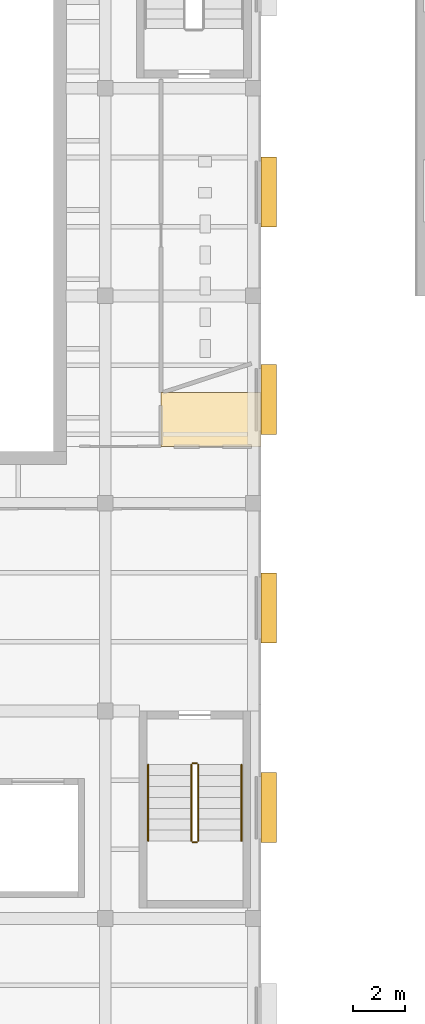
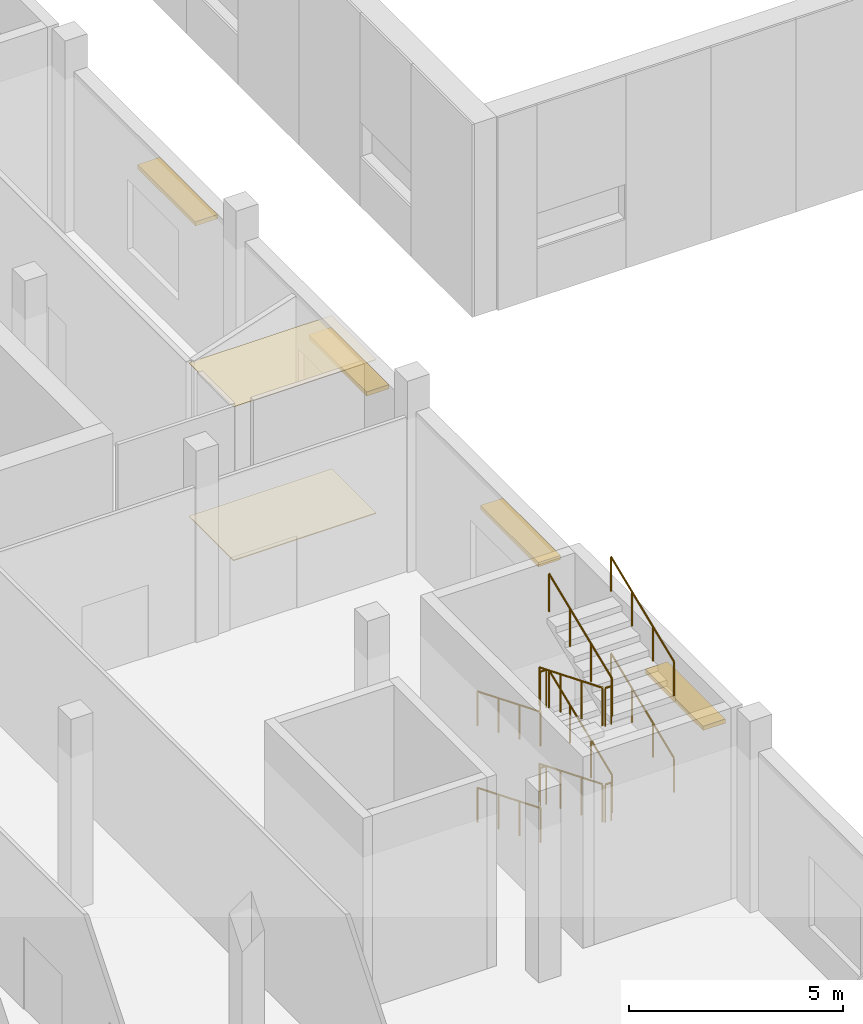
# One storey, part 63 of 87: 12 railings, 4 shading devices, 2 coverings.
"""IFC4 building model written with IfcOpenShell, lengths in metres."""

from ifc_helpers import new_model, si_unit, direction, frame, origin, origin_2d, place, context, subcontext, project, spatial, polyline, rectangle, circle, outline, extrude, material, layer, layer_set, type_object, element, save


model = new_model("IFC4")

# Units and contexts
model_context = context("Model", 3, precision=1e-05, world=origin(), true_north=direction((0.0, 1.0)))
body_context = subcontext(model_context, "Body", "Model", "MODEL_VIEW")
ifc_project = project(units=[si_unit("LENGTHUNIT", "METRE"), si_unit("AREAUNIT", "SQUARE_METRE"), si_unit("VOLUMEUNIT", "CUBIC_METRE"), si_unit("PLANEANGLEUNIT", "RADIAN"), si_unit("MASSUNIT", "GRAM", prefix="KILO")], contexts=[model_context])

# Site, building, storey
site_placement = place(None, origin())
site = spatial("IfcSite", under=ifc_project, at=site_placement, CompositionType="ELEMENT")
building_placement = place(site_placement, origin())
building = spatial("IfcBuilding", under=site, at=building_placement, Name="Lunette Opera House", CompositionType="ELEMENT")
storey_placement = place(building_placement, frame((0.0, 0.0, 11.5)))
storey = spatial("IfcBuildingStorey", under=building, at=storey_placement, Name="L02", CompositionType="ELEMENT", Elevation=11.5)

# Railings
ifc_material_1 = material(Name="Steel S355", Category="steel")
railing_type_1 = type_object("IfcRailingType", Name="STAIR GUARD 1100", PredefinedType="GUARDRAIL", material=ifc_material_1)
railing_1_placement = place(storey_placement, frame((51.320068359375, 77.929931640625, 0.171875)))
element("IfcRailing", 1, at=railing_1_placement, inside=storey, type_object=railing_type_1, Name="L02 ST16 stair guard 1", PredefinedType="GUARDRAIL", context=body_context, shape_type="SweptSolid", body=[
    extrude(circle(Radius=0.02392578125, at=origin_2d()), frame((0.0, 0.0, 1.076171875), z_axis=(0.0, -0.925500427511, 0.378746562595), x_axis=(1.0, 0.0, 0.0)), (0.0, 0.0, 1.0), 3.176513671875),
    extrude(circle(Radius=0.02099609375, at=origin_2d()), origin(), (0.0, 0.0, 1.0), 1.052001953125),
    extrude(circle(Radius=0.02099609375, at=origin_2d()), frame((0.0, -0.97998046875, 0.401123046875)), (0.0, 0.0, 1.0), 1.052001953125),
    extrude(circle(Radius=0.02099609375, at=origin_2d()), frame((0.0, -1.9599609375, 0.802001953125)), (0.0, 0.0, 1.0), 1.052001953125),
    extrude(circle(Radius=0.02099609375, at=origin_2d()), frame((0.0, -2.93994140625, 1.203125)), (0.0, 0.0, 1.0), 1.052001953125),
])
railing_2_placement = place(storey_placement, frame((51.3701171875, 74.93994140625, 1.375)))
element("IfcRailing", 2, at=railing_2_placement, inside=storey, type_object=railing_type_1, Name="L02 ST16 stair guard 2", PredefinedType="GUARDRAIL", context=body_context, shape_type="SweptSolid", body=[
    extrude(circle(Radius=0.02392578125, at=origin_2d()), frame((0.0, 0.0, 1.076171875), z_axis=(1.0, 0.0, 0.0), x_axis=(0.0, 1.0, 0.0)), (0.0, 0.0, 1.0), 0.159912109375),
    extrude(circle(Radius=0.02099609375, at=origin_2d()), origin(), (0.0, 0.0, 1.0), 1.052001953125),
    extrude(circle(Radius=0.02099609375, at=origin_2d()), frame((0.159912109375, 0.0, 0.0)), (0.0, 0.0, 1.0), 1.052001953125),
])
railing_3_placement = place(storey_placement, frame((51.580078125, 74.989990234375, 1.546875)))
element("IfcRailing", 3, at=railing_3_placement, inside=storey, type_object=railing_type_1, Name="L02 ST16 stair guard 3", PredefinedType="GUARDRAIL", context=body_context, shape_type="SweptSolid", body=[
    extrude(circle(Radius=0.02392578125, at=origin_2d()), frame((0.0, 0.0, 1.076171875), z_axis=(0.0, 0.925500427511, 0.378746562595), x_axis=(-1.0, 0.0, 0.0)), (0.0, 0.0, 1.0), 3.176513671875),
    extrude(circle(Radius=0.02099609375, at=origin_2d()), origin(), (0.0, 0.0, 1.0), 1.052001953125),
    extrude(circle(Radius=0.02099609375, at=origin_2d()), frame((0.0, 0.97998046875, 0.401123046875)), (0.0, 0.0, 1.0), 1.052001953125),
    extrude(circle(Radius=0.02099609375, at=origin_2d()), frame((0.0, 1.9599609375, 0.802001953125)), (0.0, 0.0, 1.0), 1.052001953125),
    extrude(circle(Radius=0.02099609375, at=origin_2d()), frame((0.0, 2.93994140625, 1.203125)), (0.0, 0.0, 1.0), 1.052001953125),
])
railing_4_placement = place(storey_placement, frame((51.3701171875, 77.97998046875, 2.75)))
element("IfcRailing", 4, at=railing_4_placement, inside=storey, type_object=railing_type_1, Name="L02 ST16 stair guard 4", PredefinedType="GUARDRAIL", context=body_context, shape_type="SweptSolid", body=[
    extrude(circle(Radius=0.02392578125, at=origin_2d()), frame((0.0, 0.0, 1.076171875), z_axis=(1.0, 0.0, 0.0), x_axis=(0.0, 1.0, 0.0)), (0.0, 0.0, 1.0), 0.159912109375),
    extrude(circle(Radius=0.02099609375, at=origin_2d()), origin(), (0.0, 0.0, 1.0), 1.052001953125),
    extrude(circle(Radius=0.02099609375, at=origin_2d()), frame((0.159912109375, 0.0, 0.0)), (0.0, 0.0, 1.0), 1.052001953125),
])
railing_5_placement = place(storey_placement, frame((51.320068359375, 77.929931640625, 2.921875)))
element("IfcRailing", 5, at=railing_5_placement, inside=storey, type_object=railing_type_1, Name="L02 ST16 stair guard 5", PredefinedType="GUARDRAIL", context=body_context, shape_type="SweptSolid", body=[
    extrude(circle(Radius=0.02392578125, at=origin_2d()), frame((0.0, 0.0, 1.076171875), z_axis=(0.0, -0.925500427511, 0.378746562595), x_axis=(1.0, 0.0, 0.0)), (0.0, 0.0, 1.0), 3.176513671875),
    extrude(circle(Radius=0.02099609375, at=origin_2d()), origin(), (0.0, 0.0, 1.0), 1.052001953125),
    extrude(circle(Radius=0.02099609375, at=origin_2d()), frame((0.0, -0.97998046875, 0.401123046875)), (0.0, 0.0, 1.0), 1.052001953125),
    extrude(circle(Radius=0.02099609375, at=origin_2d()), frame((0.0, -1.9599609375, 0.802001953125)), (0.0, 0.0, 1.0), 1.052001953125),
    extrude(circle(Radius=0.02099609375, at=origin_2d()), frame((0.0, -2.93994140625, 1.203125)), (0.0, 0.0, 1.0), 1.052001953125),
])
railing_6_placement = place(storey_placement, frame((51.3701171875, 74.93994140625, 4.125)))
element("IfcRailing", 6, at=railing_6_placement, inside=storey, type_object=railing_type_1, Name="L02 ST16 stair guard 6", PredefinedType="GUARDRAIL", context=body_context, shape_type="SweptSolid", body=[
    extrude(circle(Radius=0.02392578125, at=origin_2d()), frame((0.0, 0.0, 1.076171875), z_axis=(1.0, 0.0, 0.0), x_axis=(0.0, 1.0, 0.0)), (0.0, 0.0, 1.0), 0.159912109375),
    extrude(circle(Radius=0.02099609375, at=origin_2d()), origin(), (0.0, 0.0, 1.0), 1.052001953125),
    extrude(circle(Radius=0.02099609375, at=origin_2d()), frame((0.159912109375, 0.0, 0.0)), (0.0, 0.0, 1.0), 1.052001953125),
])
railing_7_placement = place(storey_placement, frame((51.580078125, 74.989990234375, 4.296875)))
element("IfcRailing", 7, at=railing_7_placement, inside=storey, type_object=railing_type_1, Name="L02 ST16 stair guard 7", PredefinedType="GUARDRAIL", context=body_context, shape_type="SweptSolid", body=[
    extrude(circle(Radius=0.02392578125, at=origin_2d()), frame((0.0, 0.0, 1.076171875), z_axis=(0.0, 0.925500427511, 0.378746562595), x_axis=(-1.0, 0.0, 0.0)), (0.0, 0.0, 1.0), 3.176513671875),
    extrude(circle(Radius=0.02099609375, at=origin_2d()), origin(), (0.0, 0.0, 1.0), 1.052001953125),
    extrude(circle(Radius=0.02099609375, at=origin_2d()), frame((0.0, 0.97998046875, 0.401123046875)), (0.0, 0.0, 1.0), 1.052001953125),
    extrude(circle(Radius=0.02099609375, at=origin_2d()), frame((0.0, 1.9599609375, 0.802001953125)), (0.0, 0.0, 1.0), 1.052001953125),
    extrude(circle(Radius=0.02099609375, at=origin_2d()), frame((0.0, 2.93994140625, 1.203125)), (0.0, 0.0, 1.0), 1.052001953125),
])
railing_8_placement = place(storey_placement, frame((51.3701171875, 77.97998046875, 0.0)))
element("IfcRailing", 8, at=railing_8_placement, inside=storey, type_object=railing_type_1, Name="L02 ST16 stair guard 8", PredefinedType="GUARDRAIL", context=body_context, shape_type="SweptSolid", body=[
    extrude(circle(Radius=0.02392578125, at=origin_2d()), frame((0.0, 0.0, 1.076171875), z_axis=(1.0, 0.0, 0.0), x_axis=(0.0, 1.0, 0.0)), (0.0, 0.0, 1.0), 0.159912109375),
    extrude(circle(Radius=0.02099609375, at=origin_2d()), origin(), (0.0, 0.0, 1.0), 1.052001953125),
    extrude(circle(Radius=0.02099609375, at=origin_2d()), frame((0.159912109375, 0.0, 0.0)), (0.0, 0.0, 1.0), 1.052001953125),
])
ifc_material_2 = material(Name="Steel S355", Category="steel")
railing_type_2 = type_object("IfcRailingType", Name="STAIR HANDRAIL 1000", PredefinedType="HANDRAIL", material=ifc_material_2)
railing_9_placement = place(storey_placement, frame((49.64990234375, 77.929931640625, 0.171875)))
element("IfcRailing", 9, at=railing_9_placement, inside=storey, type_object=railing_type_2, Name="L02 ST16 stair handrail 1", PredefinedType="HANDRAIL", context=body_context, shape_type="SweptSolid", body=[
    extrude(circle(Radius=0.02392578125, at=origin_2d()), frame((0.0, 0.0, 0.97607421875), z_axis=(0.0, -0.925500427511, 0.378746562595), x_axis=(1.0, 0.0, 0.0)), (0.0, 0.0, 1.0), 3.176513671875),
    extrude(circle(Radius=0.02099609375, at=origin_2d()), origin(), (0.0, 0.0, 1.0), 0.951904296875),
    extrude(circle(Radius=0.02099609375, at=origin_2d()), frame((0.0, -0.97998046875, 0.401123046875)), (0.0, 0.0, 1.0), 0.951904296875),
    extrude(circle(Radius=0.02099609375, at=origin_2d()), frame((0.0, -1.9599609375, 0.802001953125)), (0.0, 0.0, 1.0), 0.951904296875),
    extrude(circle(Radius=0.02099609375, at=origin_2d()), frame((0.0, -2.93994140625, 1.203125)), (0.0, 0.0, 1.0), 0.951904296875),
])
railing_10_placement = place(storey_placement, frame((53.25, 74.989990234375, 1.546875)))
element("IfcRailing", 10, at=railing_10_placement, inside=storey, type_object=railing_type_2, Name="L02 ST16 stair handrail 2", PredefinedType="HANDRAIL", context=body_context, shape_type="SweptSolid", body=[
    extrude(circle(Radius=0.02392578125, at=origin_2d()), frame((0.0, 0.0, 0.97607421875), z_axis=(0.0, 0.925500427511, 0.378746562595), x_axis=(-1.0, 0.0, 0.0)), (0.0, 0.0, 1.0), 3.176513671875),
    extrude(circle(Radius=0.02099609375, at=origin_2d()), origin(), (0.0, 0.0, 1.0), 0.951904296875),
    extrude(circle(Radius=0.02099609375, at=origin_2d()), frame((0.0, 0.97998046875, 0.401123046875)), (0.0, 0.0, 1.0), 0.951904296875),
    extrude(circle(Radius=0.02099609375, at=origin_2d()), frame((0.0, 1.9599609375, 0.802001953125)), (0.0, 0.0, 1.0), 0.951904296875),
    extrude(circle(Radius=0.02099609375, at=origin_2d()), frame((0.0, 2.93994140625, 1.203125)), (0.0, 0.0, 1.0), 0.951904296875),
])
railing_11_placement = place(storey_placement, frame((49.64990234375, 77.929931640625, 2.921875)))
element("IfcRailing", 11, at=railing_11_placement, inside=storey, type_object=railing_type_2, Name="L02 ST16 stair handrail 3", PredefinedType="HANDRAIL", context=body_context, shape_type="SweptSolid", body=[
    extrude(circle(Radius=0.02392578125, at=origin_2d()), frame((0.0, 0.0, 0.97607421875), z_axis=(0.0, -0.925500427511, 0.378746562595), x_axis=(1.0, 0.0, 0.0)), (0.0, 0.0, 1.0), 3.176513671875),
    extrude(circle(Radius=0.02099609375, at=origin_2d()), origin(), (0.0, 0.0, 1.0), 0.951904296875),
    extrude(circle(Radius=0.02099609375, at=origin_2d()), frame((0.0, -0.97998046875, 0.401123046875)), (0.0, 0.0, 1.0), 0.951904296875),
    extrude(circle(Radius=0.02099609375, at=origin_2d()), frame((0.0, -1.9599609375, 0.802001953125)), (0.0, 0.0, 1.0), 0.951904296875),
    extrude(circle(Radius=0.02099609375, at=origin_2d()), frame((0.0, -2.93994140625, 1.203125)), (0.0, 0.0, 1.0), 0.951904296875),
])
railing_12_placement = place(storey_placement, frame((53.25, 74.989990234375, 4.296875)))
element("IfcRailing", 12, at=railing_12_placement, inside=storey, type_object=railing_type_2, Name="L02 ST16 stair handrail 4", PredefinedType="HANDRAIL", context=body_context, shape_type="SweptSolid", body=[
    extrude(circle(Radius=0.02392578125, at=origin_2d()), frame((0.0, 0.0, 0.97607421875), z_axis=(0.0, 0.925500427511, 0.378746562595), x_axis=(-1.0, 0.0, 0.0)), (0.0, 0.0, 1.0), 3.176513671875),
    extrude(circle(Radius=0.02099609375, at=origin_2d()), origin(), (0.0, 0.0, 1.0), 0.951904296875),
    extrude(circle(Radius=0.02099609375, at=origin_2d()), frame((0.0, 0.97998046875, 0.401123046875)), (0.0, 0.0, 1.0), 0.951904296875),
    extrude(circle(Radius=0.02099609375, at=origin_2d()), frame((0.0, 1.9599609375, 0.802001953125)), (0.0, 0.0, 1.0), 0.951904296875),
    extrude(circle(Radius=0.02099609375, at=origin_2d()), frame((0.0, 2.93994140625, 1.203125)), (0.0, 0.0, 1.0), 0.951904296875),
])

# Coverings
ifc_material_3 = material(Name="Mineral fibre board")
ifc_layer_1 = layer(ifc_material_3, 0.014892578125)
ifc_layer_set_1 = layer_set([ifc_layer_1], Name="Mineral fibre board")
covering_type_1 = type_object("IfcCoveringType", Name="SUSPENDED ACOUSTIC CEILING 15", PredefinedType="CEILING", material=ifc_layer_set_1)
covering_1_placement = place(storey_placement, frame((0.0, 0.0, 4.385009765625)))
element("IfcCovering", 13, at=covering_1_placement, inside=storey, type_object=covering_type_1, Name="Ceiling Accessible WC L02 Rehearsal", PredefinedType="CEILING", context=body_context, shape_type="SweptSolid", body=[
    extrude(outline(polyline([(54.0, 90.199951171875), (50.14892578125, 90.199951171875), (50.14892578125, 92.278076171875), (54.0, 92.278076171875), (54.0, 90.199951171875)])), origin(), (0.0, 0.0, 1.0), 0.014892578125),
])
ifc_material_4 = material(Name="Ceramic tile")
ifc_layer_2 = layer(ifc_material_4, 0.02490234375)
ifc_layer_set_2 = layer_set([ifc_layer_2], Name="Ceramic tile")
covering_type_2 = type_object("IfcCoveringType", Name="TILED FLOOR FINISH 25", PredefinedType="FLOORING", material=ifc_layer_set_2)
covering_2_placement = place(storey_placement, origin())
element("IfcCovering", 14, at=covering_2_placement, inside=storey, type_object=covering_type_2, Name="Floor finish Accessible WC L02 Rehearsal", PredefinedType="FLOORING", context=body_context, shape_type="SweptSolid", body=[
    extrude(outline(polyline([(54.0, 90.199951171875), (50.14892578125, 90.199951171875), (50.14892578125, 92.278076171875), (54.0, 92.278076171875), (54.0, 90.199951171875)])), origin(), (0.0, 0.0, 1.0), 0.02490234375),
])

# Shading devices
ifc_material_5 = material(Name="Powder-coated aluminium", Category="aluminium")
ifc_layer_3 = layer(ifc_material_5, 0.1201171875)
ifc_layer_set_3 = layer_set([ifc_layer_3], Name="Powder-coated aluminium")
shading_device_type = type_object("IfcShadingDeviceType", Name="WINDOW HOOD 600 X 2700", PredefinedType="USERDEFINED", material=ifc_layer_set_3)
for number, where, z_axis, x_axis, name in (
    (15, (54.300048828125, 76.27294921875, 3.079833984375), (0.0, 0.0, 1.0), (1.0, 0.0, 0.0), "Window hood RW-N2026"),
    (16, (54.300048828125, 83.971923828125, 3.079833984375), (0.0, 0.0, 1.0), (1.0, 0.0, 0.0), "Window hood RW-N2027"),
    (17, (54.300048828125, 92.0, 3.079833984375), (0.0, 0.0, 1.0), (1.0, 0.0, 0.0), "Window hood RW-N2028"),
    (18, (54.300048828125, 100.0, 3.079833984375), (0.0, 0.0, 1.0), (1.0, 0.0, 0.0), "Window hood RW-N2029"),
):
    element("IfcShadingDevice", number, at=place(storey_placement, frame(where, z_axis=z_axis, x_axis=x_axis)), inside=storey, type_object=shading_device_type, Name=name, ObjectType="WINDOW HOOD", PredefinedType="USERDEFINED", context=body_context, shape_type="SweptSolid", body=[
        extrude(rectangle(XDim=0.60009765625, YDim=2.699951171875, at=origin_2d()), origin(), (0.0, 0.0, 1.0), 0.1201171875),
    ])

save(model, "model.ifc")
